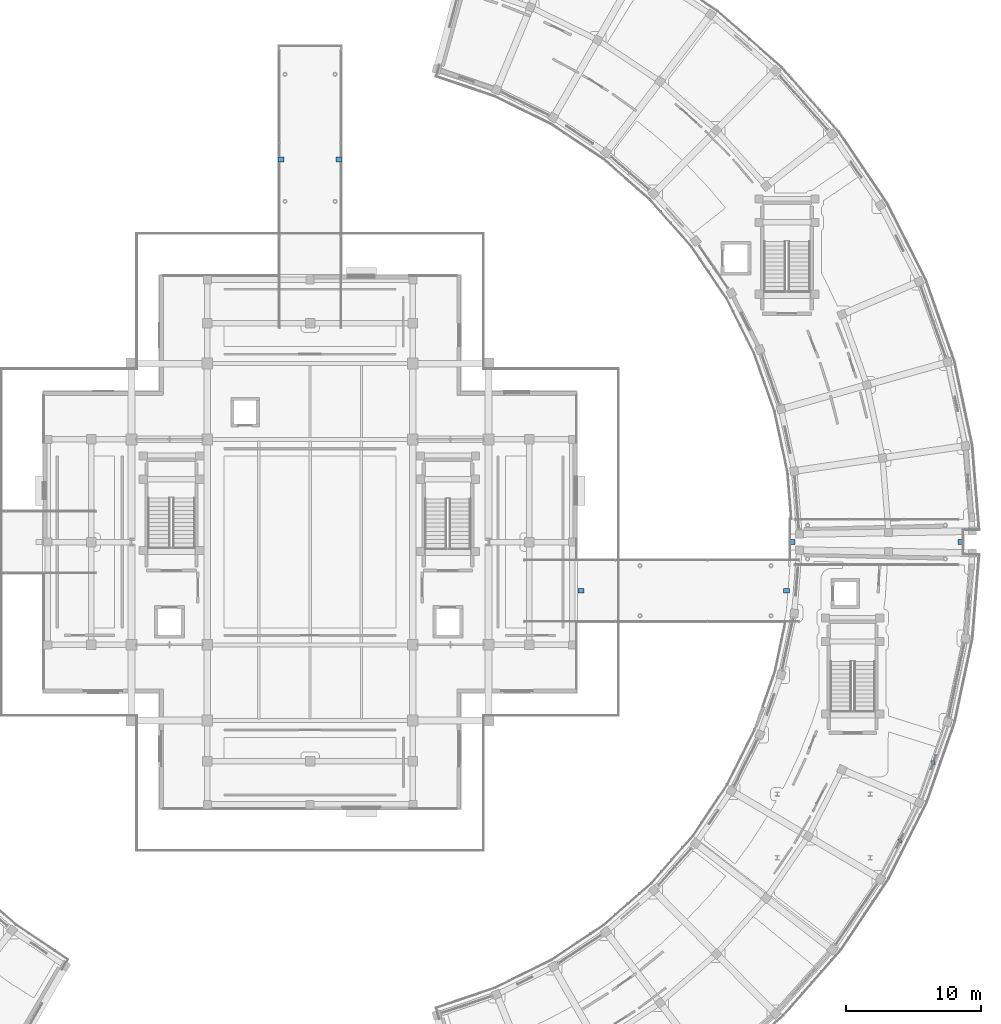
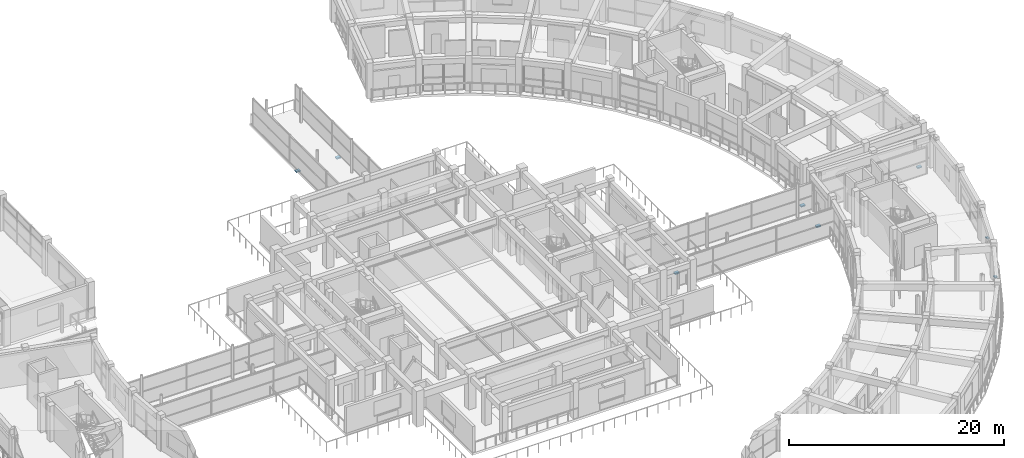
# One storey, part 57 of 72: 8 discrete accessories.
"""IFC4 building model written with IfcOpenShell, lengths in metres."""

from ifc_helpers import new_model, si_unit, direction, frame, origin, origin_2d, place, context, subcontext, project, spatial, rectangle, extrude, material, type_object, element, save


model = new_model("IFC4")

# Units and contexts
model_context = context("Model", 3, precision=1e-05, world=origin(), true_north=direction((0.0, 1.0)))
body_context = subcontext(model_context, "Body", "Model", "MODEL_VIEW")
ifc_project = project(units=[si_unit("LENGTHUNIT", "METRE"), si_unit("AREAUNIT", "SQUARE_METRE"), si_unit("VOLUMEUNIT", "CUBIC_METRE"), si_unit("PLANEANGLEUNIT", "RADIAN"), si_unit("MASSUNIT", "GRAM", prefix="KILO")], contexts=[model_context])

# Site, building, storey
site_placement = place(None, origin())
site = spatial("IfcSite", under=ifc_project, at=site_placement, CompositionType="ELEMENT")
building_placement = place(site_placement, origin())
building = spatial("IfcBuilding", under=site, at=building_placement, Name="Saryqyr Civic Hall", CompositionType="ELEMENT")
storey_placement = place(building_placement, frame((0.0, 0.0, 17.25)))
storey = spatial("IfcBuildingStorey", under=building, at=storey_placement, Name="L04", CompositionType="ELEMENT", Elevation=17.25)

# Discrete accessories
ifc_material_1 = material(Name="Painted galvanized steel", Category="steel")
discrete_accessory_type_1 = type_object("IfcDiscreteAccessoryType", Name="ENV-BRK-FIN", PredefinedType="BRACKET", material=ifc_material_1)
for number, where, z_axis, x_axis, name in (
    (1, (100.619384765625, 61.90185546875, 2.16015625), (0.0, 0.0, 1.0), (1.0, 0.0, 0.0), "Solar fin steel bracket V5-L04-06"),
    (2, (103.103759765625, 67.707763671875, 2.16015625), (0.0, 0.0, 1.0), (1.0, 0.0, 0.0), "Solar fin steel bracket V5-L04-07"),
):
    element("IfcDiscreteAccessory", number, at=place(storey_placement, frame(where, z_axis=z_axis, x_axis=x_axis)), inside=storey, type_object=discrete_accessory_type_1, Name=name, PredefinedType="BRACKET", context=body_context, shape_type="SweptSolid", body=[
        extrude(rectangle(XDim=0.239990234375, YDim=0.300048828125, at=origin_2d()), origin(), (0.0, 0.0, 1.0), 0.159912109375),
    ])
ifc_material_2 = material(Name="Steel S355", Category="steel")
discrete_accessory_type_2 = type_object("IfcDiscreteAccessoryType", Name="STR-ACC-PTFE-BRG", PredefinedType="BRACKET", material=ifc_material_2)
for number, where, z_axis, x_axis, name in (
    (3, (92.64990234375, 84.0, -0.35986328125), (0.0, 0.0, 1.0), (1.0, 0.0, 0.0), "Unguided PTFE sliding bridge bearing BR-E L04 1"),
    (4, (105.14990234375, 84.0, -0.35986328125), (0.0, 0.0, 1.0), (1.0, 0.0, 0.0), "Unguided PTFE sliding bridge bearing BR-E L04 2"),
    (5, (77.050048828125, 80.39990234375, -0.35986328125), (0.0, 0.0, 1.0), (1.0, 0.0, 0.0), "Unguided PTFE sliding bridge bearing BR-CE L04 1"),
    (6, (92.247802734375, 80.39990234375, -0.35986328125), (0.0, 0.0, 1.0), (1.0, 0.0, 0.0), "Unguided PTFE sliding bridge bearing BR-CE L04 2"),
    (7, (54.85009765625, 112.300048828125, -0.35986328125), (0.0, 0.0, 1.0), (1.0, 0.0, 0.0), "Unguided PTFE sliding bridge bearing BR-CN L04 1"),
    (8, (59.14990234375, 112.300048828125, -0.35986328125), (0.0, 0.0, 1.0), (1.0, 0.0, 0.0), "Unguided PTFE sliding bridge bearing BR-CN L04 2"),
):
    element("IfcDiscreteAccessory", number, at=place(storey_placement, frame(where, z_axis=z_axis, x_axis=x_axis)), inside=storey, type_object=discrete_accessory_type_2, Name=name, PredefinedType="BRACKET", context=body_context, shape_type="SweptSolid", body=[
        extrude(rectangle(XDim=0.449951171875, YDim=0.35009765625, at=origin_2d()), origin(), (0.0, 0.0, 1.0), 0.139892578125),
    ])

save(model, "model.ifc")
